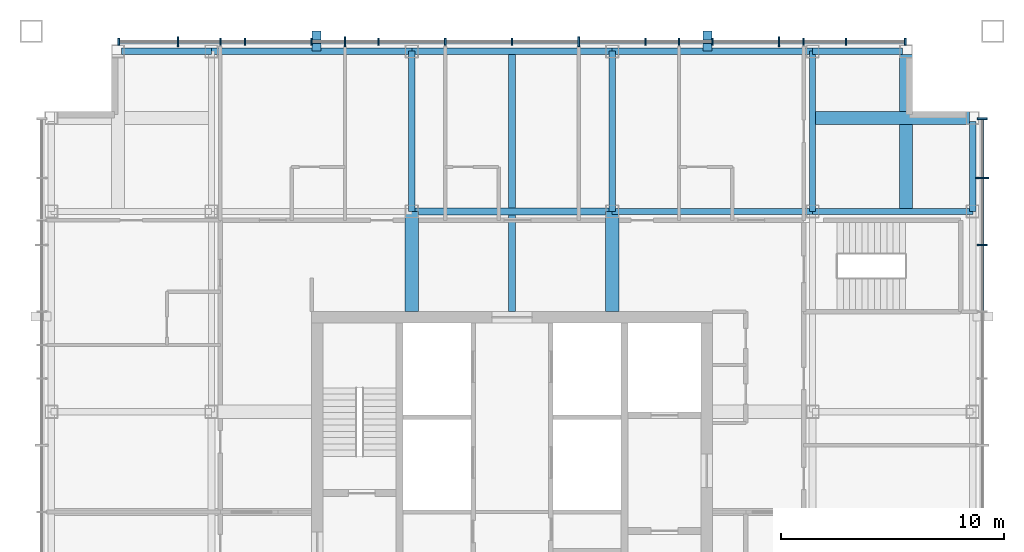
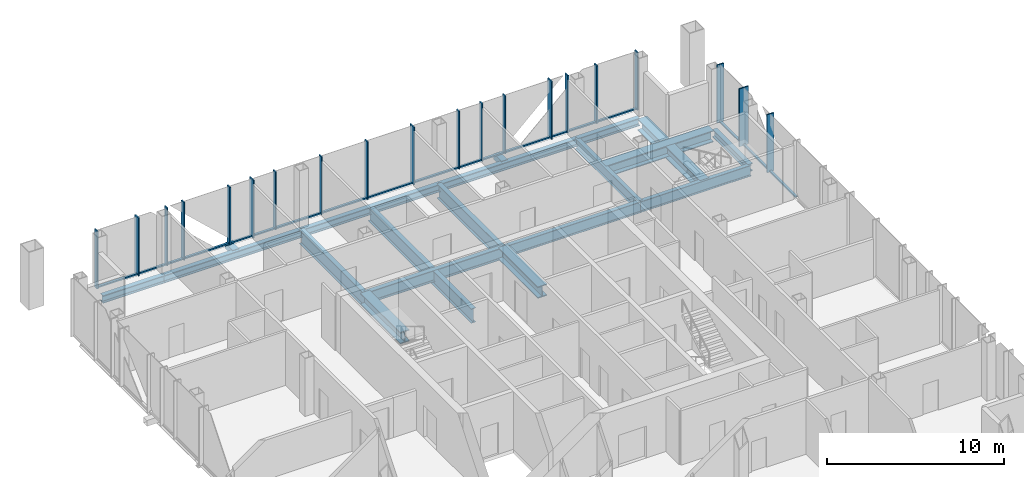
# One storey, part 5 of 11: 41 members, 17 beams, 2 elements without a shape of their own.
"""IFC4 building model written with IfcOpenShell, lengths in metres."""

from ifc_helpers import new_model, si_unit, direction, frame, origin, origin_2d, place, context, subcontext, project, spatial, rectangle, hollow_rectangle, i_section, extrude, material, layer, layer_set, material_profile, profile_set, type_object, element, aggregate, save


model = new_model("IFC4")

# Units and contexts
model_context = context("Model", 3, precision=1e-05, world=origin(), true_north=direction((0.0, 1.0)))
body_context = subcontext(model_context, "Body", "Model", "MODEL_VIEW")
ifc_project = project(units=[si_unit("LENGTHUNIT", "METRE"), si_unit("AREAUNIT", "SQUARE_METRE"), si_unit("VOLUMEUNIT", "CUBIC_METRE"), si_unit("PLANEANGLEUNIT", "RADIAN"), si_unit("MASSUNIT", "GRAM", prefix="KILO")], contexts=[model_context])

# Site, building, storey
site_placement = place(None, origin())
site = spatial("IfcSite", under=ifc_project, at=site_placement, CompositionType="ELEMENT")
building_placement = place(site_placement, origin())
building = spatial("IfcBuilding", under=site, at=building_placement, Name="Malebo Sky Hospital", CompositionType="ELEMENT")
storey_placement = place(building_placement, frame((0.0, 0.0, 278.0)))
storey = spatial("IfcBuildingStorey", under=building, at=storey_placement, Name="L67", CompositionType="ELEMENT", Elevation=278.0)

# Curtain wall, members
ifc_material_1 = material(Name="Anodised aluminium, natural silver", Category="aluminium")
ifc_layer_1 = layer(ifc_material_1, 0.25)
ifc_layer_set_1 = layer_set([ifc_layer_1], Name="WARD CURTAIN WALL NORTH AND SOUTH")
curtain_wall_type_1 = type_object("IfcCurtainWallType", Name="WARD CURTAIN WALL NORTH AND SOUTH", PredefinedType="NOTDEFINED", material=ifc_layer_set_1)
curtain_wall_1_placement = place(storey_placement, origin())
curtain_wall_1 = element("IfcCurtainWall", 1, at=curtain_wall_1_placement, inside=storey, type_object=curtain_wall_type_1, Name="NS curtain wall N", PredefinedType="NOTDEFINED")
ifc_material_profile_1 = material_profile(ifc_material_1, rectangle(XDim=0.14990234375, YDim=0.10009765625, at=origin_2d()), Name="ALUMINIUM TRANSOM 150x100")
ifc_profile_set_1 = profile_set([ifc_material_profile_1], Name="Anodised aluminium, natural silver")
member_type_1 = type_object("IfcMemberType", Name="ALUMINIUM TRANSOM 150x100", PredefinedType="USERDEFINED", material=ifc_profile_set_1)
member_1_placement = place(storey_placement, frame((42.375, 83.125, 0.050048828125), z_axis=(1.0, 0.0, 0.0), x_axis=(0.0, 1.0, 0.0)))
member_1 = element("IfcMember", 2, at=member_1_placement, type_object=member_type_1, Name="Transom 1", ObjectType="TRANSOM", PredefinedType="USERDEFINED", context=body_context, shape_type="SweptSolid", body=[
    extrude(rectangle(XDim=0.14990234375, YDim=0.10009765625, at=origin_2d()), origin(), (0.0, 0.0, 1.0), 2.58740234375),
])
member_2_placement = place(storey_placement, frame((45.03759765625, 83.125, 0.050048828125), z_axis=(1.0, 0.0, 0.0), x_axis=(0.0, 1.0, 0.0)))
member_2 = element("IfcMember", 3, at=member_2_placement, type_object=member_type_1, Name="Transom 2", ObjectType="TRANSOM", PredefinedType="USERDEFINED", context=body_context, shape_type="SweptSolid", body=[
    extrude(rectangle(XDim=0.14990234375, YDim=0.10009765625, at=origin_2d()), origin(), (0.0, 0.0, 1.0), 1.824951171875),
])
member_3_placement = place(storey_placement, frame((46.9375, 83.125, 0.050048828125), z_axis=(1.0, 0.0, 0.0), x_axis=(0.0, 1.0, 0.0)))
member_3 = element("IfcMember", 4, at=member_3_placement, type_object=member_type_1, Name="Transom 3", ObjectType="TRANSOM", PredefinedType="USERDEFINED", context=body_context, shape_type="SweptSolid", body=[
    extrude(rectangle(XDim=0.14990234375, YDim=0.10009765625, at=origin_2d()), origin(), (0.0, 0.0, 1.0), 1.02490234375),
])
member_4_placement = place(storey_placement, frame((48.03759765625, 83.125, 0.050048828125), z_axis=(1.0, 0.0, 0.0), x_axis=(0.0, 1.0, 0.0)))
member_4 = element("IfcMember", 5, at=member_4_placement, type_object=member_type_1, Name="Transom 4", ObjectType="TRANSOM", PredefinedType="USERDEFINED", context=body_context, shape_type="SweptSolid", body=[
    extrude(rectangle(XDim=0.14990234375, YDim=0.10009765625, at=origin_2d()), origin(), (0.0, 0.0, 1.0), 2.9248046875),
])
member_5_placement = place(storey_placement, frame((51.03759765625, 83.125, 0.050048828125), z_axis=(1.0, 0.0, 0.0), x_axis=(0.0, 1.0, 0.0)))
member_5 = element("IfcMember", 6, at=member_5_placement, type_object=member_type_1, Name="Transom 5", ObjectType="TRANSOM", PredefinedType="USERDEFINED", context=body_context, shape_type="SweptSolid", body=[
    extrude(rectangle(XDim=0.14990234375, YDim=0.10009765625, at=origin_2d()), origin(), (0.0, 0.0, 1.0), 1.4248046875),
])
member_6_placement = place(storey_placement, frame((52.53759765625, 83.125, 0.050048828125), z_axis=(1.0, 0.0, 0.0), x_axis=(0.0, 1.0, 0.0)))
member_6 = element("IfcMember", 7, at=member_6_placement, type_object=member_type_1, Name="Transom 6", ObjectType="TRANSOM", PredefinedType="USERDEFINED", context=body_context, shape_type="SweptSolid", body=[
    extrude(rectangle(XDim=0.14990234375, YDim=0.10009765625, at=origin_2d()), origin(), (0.0, 0.0, 1.0), 1.4248046875),
])
member_7_placement = place(storey_placement, frame((54.03759765625, 83.125, 0.050048828125), z_axis=(1.0, 0.0, 0.0), x_axis=(0.0, 1.0, 0.0)))
member_7 = element("IfcMember", 8, at=member_7_placement, type_object=member_type_1, Name="Transom 7", ObjectType="TRANSOM", PredefinedType="USERDEFINED", context=body_context, shape_type="SweptSolid", body=[
    extrude(rectangle(XDim=0.14990234375, YDim=0.10009765625, at=origin_2d()), origin(), (0.0, 0.0, 1.0), 2.9248046875),
])
member_8_placement = place(storey_placement, frame((57.03759765625, 83.125, 0.050048828125), z_axis=(1.0, 0.0, 0.0), x_axis=(0.0, 1.0, 0.0)))
member_8 = element("IfcMember", 9, at=member_8_placement, type_object=member_type_1, Name="Transom 8", ObjectType="TRANSOM", PredefinedType="USERDEFINED", context=body_context, shape_type="SweptSolid", body=[
    extrude(rectangle(XDim=0.14990234375, YDim=0.10009765625, at=origin_2d()), origin(), (0.0, 0.0, 1.0), 2.9248046875),
])
member_9_placement = place(storey_placement, frame((60.03759765625, 83.125, 0.050048828125), z_axis=(1.0, 0.0, 0.0), x_axis=(0.0, 1.0, 0.0)))
member_9 = element("IfcMember", 10, at=member_9_placement, type_object=member_type_1, Name="Transom 9", ObjectType="TRANSOM", PredefinedType="USERDEFINED", context=body_context, shape_type="SweptSolid", body=[
    extrude(rectangle(XDim=0.14990234375, YDim=0.10009765625, at=origin_2d()), origin(), (0.0, 0.0, 1.0), 2.9248046875),
])
member_10_placement = place(storey_placement, frame((63.03759765625, 83.125, 0.050048828125), z_axis=(1.0, 0.0, 0.0), x_axis=(0.0, 1.0, 0.0)))
member_10 = element("IfcMember", 11, at=member_10_placement, type_object=member_type_1, Name="Transom 10", ObjectType="TRANSOM", PredefinedType="USERDEFINED", context=body_context, shape_type="SweptSolid", body=[
    extrude(rectangle(XDim=0.14990234375, YDim=0.10009765625, at=origin_2d()), origin(), (0.0, 0.0, 1.0), 2.9248046875),
])
member_11_placement = place(storey_placement, frame((66.03759765625, 83.125, 0.050048828125), z_axis=(1.0, 0.0, 0.0), x_axis=(0.0, 1.0, 0.0)))
member_11 = element("IfcMember", 12, at=member_11_placement, type_object=member_type_1, Name="Transom 11", ObjectType="TRANSOM", PredefinedType="USERDEFINED", context=body_context, shape_type="SweptSolid", body=[
    extrude(rectangle(XDim=0.14990234375, YDim=0.10009765625, at=origin_2d()), origin(), (0.0, 0.0, 1.0), 1.4248046875),
])
member_12_placement = place(storey_placement, frame((67.53759765625, 83.125, 0.050048828125), z_axis=(1.0, 0.0, 0.0), x_axis=(0.0, 1.0, 0.0)))
member_12 = element("IfcMember", 13, at=member_12_placement, type_object=member_type_1, Name="Transom 12", ObjectType="TRANSOM", PredefinedType="USERDEFINED", context=body_context, shape_type="SweptSolid", body=[
    extrude(rectangle(XDim=0.14990234375, YDim=0.10009765625, at=origin_2d()), origin(), (0.0, 0.0, 1.0), 1.4248046875),
])
member_13_placement = place(storey_placement, frame((69.03759765625, 83.125, 0.050048828125), z_axis=(1.0, 0.0, 0.0), x_axis=(0.0, 1.0, 0.0)))
member_13 = element("IfcMember", 14, at=member_13_placement, type_object=member_type_1, Name="Transom 13", ObjectType="TRANSOM", PredefinedType="USERDEFINED", context=body_context, shape_type="SweptSolid", body=[
    extrude(rectangle(XDim=0.14990234375, YDim=0.10009765625, at=origin_2d()), origin(), (0.0, 0.0, 1.0), 2.9248046875),
])
member_14_placement = place(storey_placement, frame((72.03759765625, 83.125, 0.050048828125), z_axis=(1.0, 0.0, 0.0), x_axis=(0.0, 1.0, 0.0)))
member_14 = element("IfcMember", 15, at=member_14_placement, type_object=member_type_1, Name="Transom 14", ObjectType="TRANSOM", PredefinedType="USERDEFINED", context=body_context, shape_type="SweptSolid", body=[
    extrude(rectangle(XDim=0.14990234375, YDim=0.10009765625, at=origin_2d()), origin(), (0.0, 0.0, 1.0), 1.02490234375),
])
member_15_placement = place(storey_placement, frame((73.137451171875, 83.125, 0.050048828125), z_axis=(1.0, 0.0, 0.0), x_axis=(0.0, 1.0, 0.0)))
member_15 = element("IfcMember", 16, at=member_15_placement, type_object=member_type_1, Name="Transom 15", ObjectType="TRANSOM", PredefinedType="USERDEFINED", context=body_context, shape_type="SweptSolid", body=[
    extrude(rectangle(XDim=0.14990234375, YDim=0.10009765625, at=origin_2d()), origin(), (0.0, 0.0, 1.0), 1.824951171875),
])
member_16_placement = place(storey_placement, frame((75.03759765625, 83.125, 0.050048828125), z_axis=(1.0, 0.0, 0.0), x_axis=(0.0, 1.0, 0.0)))
member_16 = element("IfcMember", 17, at=member_16_placement, type_object=member_type_1, Name="Transom 16", ObjectType="TRANSOM", PredefinedType="USERDEFINED", context=body_context, shape_type="SweptSolid", body=[
    extrude(rectangle(XDim=0.14990234375, YDim=0.10009765625, at=origin_2d()), origin(), (0.0, 0.0, 1.0), 2.58740234375),
])

ifc_layer_2 = layer(ifc_material_1, 0.25)
ifc_layer_set_2 = layer_set([ifc_layer_2], Name="WARD CURTAIN WALL EAST AND WEST")
curtain_wall_type_2 = type_object("IfcCurtainWallType", Name="WARD CURTAIN WALL EAST AND WEST", PredefinedType="NOTDEFINED", material=ifc_layer_set_2)
curtain_wall_2_placement = place(storey_placement, origin())
curtain_wall_2 = element("IfcCurtainWall", 18, at=curtain_wall_2_placement, inside=storey, type_object=curtain_wall_type_2, Name="EW curtain wall E", PredefinedType="NOTDEFINED")
member_17_placement = place(storey_placement, frame((81.125, 79.625, 0.050048828125), z_axis=(0.0, -1.0, 0.0), x_axis=(1.0, 0.0, 0.0)))
member_17 = element("IfcMember", 19, at=member_17_placement, type_object=member_type_1, Name="Transom 1", ObjectType="TRANSOM", PredefinedType="USERDEFINED", context=body_context, shape_type="SweptSolid", body=[
    extrude(rectangle(XDim=0.14990234375, YDim=0.10009765625, at=origin_2d()), origin(), (0.0, 0.0, 1.0), 2.58740234375),
])
member_18_placement = place(storey_placement, frame((81.125, 76.96240234375, 0.050048828125), z_axis=(0.0, -1.0, 0.0), x_axis=(1.0, 0.0, 0.0)))
member_18 = element("IfcMember", 20, at=member_18_placement, type_object=member_type_1, Name="Transom 2", ObjectType="TRANSOM", PredefinedType="USERDEFINED", context=body_context, shape_type="SweptSolid", body=[
    extrude(rectangle(XDim=0.14990234375, YDim=0.10009765625, at=origin_2d()), origin(), (0.0, 0.0, 1.0), 2.9248046875),
])
member_19_placement = place(storey_placement, frame((81.125, 73.96240234375, 0.050048828125), z_axis=(0.0, -1.0, 0.0), x_axis=(1.0, 0.0, 0.0)))
member_19 = element("IfcMember", 21, at=member_19_placement, type_object=member_type_1, Name="Transom 3", ObjectType="TRANSOM", PredefinedType="USERDEFINED", context=body_context, shape_type="SweptSolid", body=[
    extrude(rectangle(XDim=0.14990234375, YDim=0.10009765625, at=origin_2d()), origin(), (0.0, 0.0, 1.0), 2.9248046875),
])

# Members
ifc_material_2 = material(Name="Steel S355", Category="steel")
ifc_material_profile_2 = material_profile(ifc_material_2, hollow_rectangle(XDim=0.39990234375, YDim=0.39990234375, WallThickness=0.02001953125, at=origin_2d()), Name="SHS 400x20")
ifc_profile_set_2 = profile_set([ifc_material_profile_2], Name="Steel S355")
member_type_2 = type_object("IfcMemberType", Name="BRACE STRUT SHS 400x20", PredefinedType="STRUT", material=ifc_profile_set_2)
for number, where, z_axis, x_axis, name in (
    (22, (51.2158203125, 83.60009765625, -0.39990234375), (0.0, -1.0, 0.0), (1.0, 0.0, 0.0), "Brace strut DN1 L67"),
    (23, (68.7841796875, 83.60009765625, -0.39990234375), (0.0, -1.0, 0.0), (1.0, 0.0, 0.0), "Brace strut DN2 L67"),
):
    element("IfcMember", number, at=place(storey_placement, frame(where, z_axis=z_axis, x_axis=x_axis)), inside=storey, type_object=member_type_2, Name=name, PredefinedType="STRUT", context=body_context, shape_type="SweptSolid", body=[
        extrude(hollow_rectangle(XDim=0.39990234375, YDim=0.39990234375, WallThickness=0.02001953125, at=origin_2d()), origin(), (0.0, 0.0, 1.0), 0.900146484375),
    ])

# Member
ifc_material_profile_3 = material_profile(ifc_material_1, rectangle(XDim=0.074951171875, YDim=0.300048828125, at=origin_2d()), Name="CW1 ALUMINIUM FIN MULLION 75x300")
ifc_profile_set_3 = profile_set([ifc_material_profile_3], Name="Anodised aluminium, natural silver")
member_type_3 = type_object("IfcMemberType", Name="CW1 ALUMINIUM FIN MULLION 75x300", PredefinedType="MULLION", material=ifc_profile_set_3)
member_20_placement = place(storey_placement, frame((42.33740234375, 83.125, 0.0), z_axis=(0.0, 0.0, 1.0), x_axis=(1.0, 0.0, 0.0)))
member_20 = element("IfcMember", 24, at=member_20_placement, type_object=member_type_3, Name="Fin mullion 1", PredefinedType="MULLION", context=body_context, shape_type="SweptSolid", body=[
    extrude(rectangle(XDim=0.074951171875, YDim=0.300048828125, at=origin_2d()), origin(), (0.0, 0.0, 1.0), 4.0),
])

member_21_placement = place(storey_placement, frame((46.89990234375, 83.125, 0.0), z_axis=(0.0, 0.0, 1.0), x_axis=(1.0, 0.0, 0.0)))
member_21 = element("IfcMember", 25, at=member_21_placement, type_object=member_type_3, Name="Fin mullion 3", PredefinedType="MULLION", context=body_context, shape_type="SweptSolid", body=[
    extrude(rectangle(XDim=0.074951171875, YDim=0.300048828125, at=origin_2d()), origin(), (0.0, 0.0, 1.0), 4.0),
])

member_22_placement = place(storey_placement, frame((48.0, 83.125, 0.0), z_axis=(0.0, 0.0, 1.0), x_axis=(1.0, 0.0, 0.0)))
member_22 = element("IfcMember", 26, at=member_22_placement, type_object=member_type_3, Name="Fin mullion 4", PredefinedType="MULLION", context=body_context, shape_type="SweptSolid", body=[
    extrude(rectangle(XDim=0.074951171875, YDim=0.300048828125, at=origin_2d()), origin(), (0.0, 0.0, 1.0), 4.0),
])

member_23_placement = place(storey_placement, frame((51.0, 83.125, 0.0), z_axis=(0.0, 0.0, 1.0), x_axis=(1.0, 0.0, 0.0)))
member_23 = element("IfcMember", 27, at=member_23_placement, type_object=member_type_3, Name="Fin mullion 5", PredefinedType="MULLION", context=body_context, shape_type="SweptSolid", body=[
    extrude(rectangle(XDim=0.074951171875, YDim=0.300048828125, at=origin_2d()), origin(), (0.0, 0.0, 1.0), 4.0),
])

member_24_placement = place(storey_placement, frame((54.0, 83.125, 0.0), z_axis=(0.0, 0.0, 1.0), x_axis=(1.0, 0.0, 0.0)))
member_24 = element("IfcMember", 28, at=member_24_placement, type_object=member_type_3, Name="Fin mullion 7", PredefinedType="MULLION", context=body_context, shape_type="SweptSolid", body=[
    extrude(rectangle(XDim=0.074951171875, YDim=0.300048828125, at=origin_2d()), origin(), (0.0, 0.0, 1.0), 4.0),
])

member_25_placement = place(storey_placement, frame((57.0, 83.125, 0.0), z_axis=(0.0, 0.0, 1.0), x_axis=(1.0, 0.0, 0.0)))
member_25 = element("IfcMember", 29, at=member_25_placement, type_object=member_type_3, Name="Fin mullion 8", PredefinedType="MULLION", context=body_context, shape_type="SweptSolid", body=[
    extrude(rectangle(XDim=0.074951171875, YDim=0.300048828125, at=origin_2d()), origin(), (0.0, 0.0, 1.0), 4.0),
])

member_26_placement = place(storey_placement, frame((60.0, 83.125, 0.0), z_axis=(0.0, 0.0, 1.0), x_axis=(1.0, 0.0, 0.0)))
member_26 = element("IfcMember", 30, at=member_26_placement, type_object=member_type_3, Name="Fin mullion 9", PredefinedType="MULLION", context=body_context, shape_type="SweptSolid", body=[
    extrude(rectangle(XDim=0.074951171875, YDim=0.300048828125, at=origin_2d()), origin(), (0.0, 0.0, 1.0), 4.0),
])

member_27_placement = place(storey_placement, frame((66.0, 83.125, 0.0), z_axis=(0.0, 0.0, 1.0), x_axis=(1.0, 0.0, 0.0)))
member_27 = element("IfcMember", 31, at=member_27_placement, type_object=member_type_3, Name="Fin mullion 11", PredefinedType="MULLION", context=body_context, shape_type="SweptSolid", body=[
    extrude(rectangle(XDim=0.074951171875, YDim=0.300048828125, at=origin_2d()), origin(), (0.0, 0.0, 1.0), 4.0),
])

member_28_placement = place(storey_placement, frame((67.5, 83.125, 0.0), z_axis=(0.0, 0.0, 1.0), x_axis=(1.0, 0.0, 0.0)))
member_28 = element("IfcMember", 32, at=member_28_placement, type_object=member_type_3, Name="Fin mullion 12", PredefinedType="MULLION", context=body_context, shape_type="SweptSolid", body=[
    extrude(rectangle(XDim=0.074951171875, YDim=0.300048828125, at=origin_2d()), origin(), (0.0, 0.0, 1.0), 4.0),
])

member_29_placement = place(storey_placement, frame((69.0, 83.125, 0.0), z_axis=(0.0, 0.0, 1.0), x_axis=(1.0, 0.0, 0.0)))
member_29 = element("IfcMember", 33, at=member_29_placement, type_object=member_type_3, Name="Fin mullion 13", PredefinedType="MULLION", context=body_context, shape_type="SweptSolid", body=[
    extrude(rectangle(XDim=0.074951171875, YDim=0.300048828125, at=origin_2d()), origin(), (0.0, 0.0, 1.0), 4.0),
])

member_30_placement = place(storey_placement, frame((73.10009765625, 83.125, 0.0), z_axis=(0.0, 0.0, 1.0), x_axis=(1.0, 0.0, 0.0)))
member_30 = element("IfcMember", 34, at=member_30_placement, type_object=member_type_3, Name="Fin mullion 15", PredefinedType="MULLION", context=body_context, shape_type="SweptSolid", body=[
    extrude(rectangle(XDim=0.074951171875, YDim=0.300048828125, at=origin_2d()), origin(), (0.0, 0.0, 1.0), 4.0),
])

member_31_placement = place(storey_placement, frame((75.0, 83.125, 0.0), z_axis=(0.0, 0.0, 1.0), x_axis=(1.0, 0.0, 0.0)))
member_31 = element("IfcMember", 35, at=member_31_placement, type_object=member_type_3, Name="Fin mullion 16", PredefinedType="MULLION", context=body_context, shape_type="SweptSolid", body=[
    extrude(rectangle(XDim=0.074951171875, YDim=0.300048828125, at=origin_2d()), origin(), (0.0, 0.0, 1.0), 4.0),
])

member_32_placement = place(storey_placement, frame((77.66259765625, 83.125, 0.0), z_axis=(0.0, 0.0, 1.0), x_axis=(1.0, 0.0, 0.0)))
member_32 = element("IfcMember", 36, at=member_32_placement, type_object=member_type_3, Name="Fin mullion 17", PredefinedType="MULLION", context=body_context, shape_type="SweptSolid", body=[
    extrude(rectangle(XDim=0.074951171875, YDim=0.300048828125, at=origin_2d()), origin(), (0.0, 0.0, 1.0), 4.0),
])

ifc_material_profile_4 = material_profile(ifc_material_1, rectangle(XDim=0.074951171875, YDim=0.449951171875, at=origin_2d()), Name="CW1 ALUMINIUM FIN MULLION 75x450")
ifc_profile_set_4 = profile_set([ifc_material_profile_4], Name="Anodised aluminium, natural silver")
member_type_4 = type_object("IfcMemberType", Name="CW1 ALUMINIUM FIN MULLION 75x450", PredefinedType="MULLION", material=ifc_profile_set_4)
member_33_placement = place(storey_placement, frame((45.0, 83.125, 0.0), z_axis=(0.0, 0.0, 1.0), x_axis=(1.0, 0.0, 0.0)))
member_33 = element("IfcMember", 37, at=member_33_placement, type_object=member_type_4, Name="Fin mullion 2", PredefinedType="MULLION", context=body_context, shape_type="SweptSolid", body=[
    extrude(rectangle(XDim=0.074951171875, YDim=0.449951171875, at=origin_2d()), origin(), (0.0, 0.0, 1.0), 4.0),
])

member_34_placement = place(storey_placement, frame((52.5, 83.125, 0.0), z_axis=(0.0, 0.0, 1.0), x_axis=(1.0, 0.0, 0.0)))
member_34 = element("IfcMember", 38, at=member_34_placement, type_object=member_type_4, Name="Fin mullion 6", PredefinedType="MULLION", context=body_context, shape_type="SweptSolid", body=[
    extrude(rectangle(XDim=0.074951171875, YDim=0.449951171875, at=origin_2d()), origin(), (0.0, 0.0, 1.0), 4.0),
])

member_35_placement = place(storey_placement, frame((63.0, 83.125, 0.0), z_axis=(0.0, 0.0, 1.0), x_axis=(1.0, 0.0, 0.0)))
member_35 = element("IfcMember", 39, at=member_35_placement, type_object=member_type_4, Name="Fin mullion 10", PredefinedType="MULLION", context=body_context, shape_type="SweptSolid", body=[
    extrude(rectangle(XDim=0.074951171875, YDim=0.449951171875, at=origin_2d()), origin(), (0.0, 0.0, 1.0), 4.0),
])

member_36_placement = place(storey_placement, frame((72.0, 83.125, 0.0), z_axis=(0.0, 0.0, 1.0), x_axis=(1.0, 0.0, 0.0)))
member_36 = element("IfcMember", 40, at=member_36_placement, type_object=member_type_4, Name="Fin mullion 14", PredefinedType="MULLION", context=body_context, shape_type="SweptSolid", body=[
    extrude(rectangle(XDim=0.074951171875, YDim=0.449951171875, at=origin_2d()), origin(), (0.0, 0.0, 1.0), 4.0),
])

aggregate(curtain_wall_1, [member_20, member_33, member_21, member_22, member_23, member_34, member_24, member_25, member_26, member_35, member_27, member_28, member_29, member_36, member_30, member_31, member_32, member_1, member_2, member_3, member_4, member_5, member_6, member_7, member_8, member_9, member_10, member_11, member_12, member_13, member_14, member_15, member_16])

ifc_material_profile_5 = material_profile(ifc_material_1, rectangle(XDim=0.074951171875, YDim=0.449951171875, at=origin_2d()), Name="CW2 ALUMINIUM FIN MULLION 75x450")
ifc_profile_set_5 = profile_set([ifc_material_profile_5], Name="Anodised aluminium, natural silver")
member_type_5 = type_object("IfcMemberType", Name="CW2 ALUMINIUM FIN MULLION 75x450", PredefinedType="MULLION", material=ifc_profile_set_5)
member_37_placement = place(storey_placement, frame((81.125, 79.66259765625, 0.0), z_axis=(0.0, 0.0, 1.0), x_axis=(0.0, -1.0, 0.0)))
member_37 = element("IfcMember", 41, at=member_37_placement, type_object=member_type_5, Name="Fin mullion 1", PredefinedType="MULLION", context=body_context, shape_type="SweptSolid", body=[
    extrude(rectangle(XDim=0.074951171875, YDim=0.449951171875, at=origin_2d()), origin(), (0.0, 0.0, 1.0), 4.0),
])

member_38_placement = place(storey_placement, frame((81.125, 74.0, 0.0), z_axis=(0.0, 0.0, 1.0), x_axis=(0.0, -1.0, 0.0)))
member_38 = element("IfcMember", 42, at=member_38_placement, type_object=member_type_5, Name="Fin mullion 3", PredefinedType="MULLION", context=body_context, shape_type="SweptSolid", body=[
    extrude(rectangle(XDim=0.074951171875, YDim=0.449951171875, at=origin_2d()), origin(), (0.0, 0.0, 1.0), 4.0),
])

ifc_material_profile_6 = material_profile(ifc_material_1, rectangle(XDim=0.074951171875, YDim=0.60009765625, at=origin_2d()), Name="CW2 ALUMINIUM FIN MULLION 75x600")
ifc_profile_set_6 = profile_set([ifc_material_profile_6], Name="Anodised aluminium, natural silver")
member_type_6 = type_object("IfcMemberType", Name="CW2 ALUMINIUM FIN MULLION 75x600", PredefinedType="MULLION", material=ifc_profile_set_6)
member_39_placement = place(storey_placement, frame((81.125, 77.0, 0.0), z_axis=(0.0, 0.0, 1.0), x_axis=(0.0, -1.0, 0.0)))
member_39 = element("IfcMember", 43, at=member_39_placement, type_object=member_type_6, Name="Fin mullion 2", PredefinedType="MULLION", context=body_context, shape_type="SweptSolid", body=[
    extrude(rectangle(XDim=0.074951171875, YDim=0.60009765625, at=origin_2d()), origin(), (0.0, 0.0, 1.0), 4.0),
])

aggregate(curtain_wall_2, [member_37, member_39, member_38, member_17, member_18, member_19])

# Beams
ifc_material_profile_7 = material_profile(ifc_material_2, i_section(OverallWidth=0.305908203125, OverallDepth=0.52392578125, WebThickness=0.02099609375, FlangeThickness=0.0400390625, FilletRadius=0.027099609375, at=origin_2d()), Name="HEM 500")
ifc_profile_set_7 = profile_set([ifc_material_profile_7], Name="Steel S355")
beam_type_1 = type_object("IfcBeamType", Name="EDGE BEAM HEM 500", PredefinedType="BEAM", material=ifc_profile_set_7)
for number, where, z_axis, x_axis, name in (
    (44, (80.699951171875, 75.5, -0.511962890625), (0.0, 1.0, 0.0), (-1.0, 0.0, 0.0), "Beam 033 L67"),
    (45, (42.449951171875, 82.699951171875, -0.511962890625), (1.0, 0.0, 0.0), (0.0, 1.0, 0.0), "Beam 063 L67"),
):
    element("IfcBeam", number, at=place(storey_placement, frame(where, z_axis=z_axis, x_axis=x_axis)), inside=storey, type_object=beam_type_1, Name=name, PredefinedType="BEAM", context=body_context, shape_type="SweptSolid", body=[
        extrude(i_section(OverallWidth=0.305908203125, OverallDepth=0.52392578125, WebThickness=0.02099609375, FlangeThickness=0.0400390625, FilletRadius=0.027099609375, at=origin_2d()), origin(), (0.0, 0.0, 1.0), 4.050048828125),
    ])
for number, where, z_axis, x_axis, name in (
    (46, (46.5, 82.699951171875, -0.511962890625), (1.0, 0.0, 0.0), (0.0, 1.0, 0.0), "Beam 064 L67"),
    (47, (55.5, 82.699951171875, -0.511962890625), (1.0, 0.0, 0.0), (0.0, 1.0, 0.0), "Beam 065 L67"),
    (48, (64.5, 82.699951171875, -0.511962890625), (1.0, 0.0, 0.0), (0.0, 1.0, 0.0), "Beam 066 L67"),
):
    element("IfcBeam", number, at=place(storey_placement, frame(where, z_axis=z_axis, x_axis=x_axis)), inside=storey, type_object=beam_type_1, Name=name, PredefinedType="BEAM", context=body_context, shape_type="SweptSolid", body=[
        extrude(i_section(OverallWidth=0.305908203125, OverallDepth=0.52392578125, WebThickness=0.02099609375, FlangeThickness=0.0400390625, FilletRadius=0.027099609375, at=origin_2d()), origin(), (0.0, 0.0, 1.0), 9.0),
    ])
beam_1_placement = place(storey_placement, frame((73.5, 82.699951171875, -0.511962890625), z_axis=(1.0, 0.0, 0.0), x_axis=(0.0, 1.0, 0.0)))
element("IfcBeam", 49, at=beam_1_placement, inside=storey, type_object=beam_type_1, Name="Beam 067 L67", PredefinedType="BEAM", context=body_context, shape_type="SweptSolid", body=[
    extrude(i_section(OverallWidth=0.305908203125, OverallDepth=0.52392578125, WebThickness=0.02099609375, FlangeThickness=0.0400390625, FilletRadius=0.027099609375, at=origin_2d()), origin(), (0.0, 0.0, 1.0), 4.050048828125),
])
ifc_material_profile_8 = material_profile(ifc_material_2, i_section(OverallWidth=0.300048828125, OverallDepth=1.0, WebThickness=0.01904296875, FlangeThickness=0.035888671875, FilletRadius=0.030029296875, at=origin_2d()), Name="HEB 1000")
ifc_profile_set_8 = profile_set([ifc_material_profile_8], Name="Steel S355")
beam_type_2 = type_object("IfcBeamType", Name="FLOOR BEAM HEB 1000", PredefinedType="BEAM", material=ifc_profile_set_8)
beam_2_placement = place(storey_placement, frame((55.5, 75.5, -0.75), z_axis=(0.0, 1.0, 0.0), x_axis=(-1.0, 0.0, 0.0)))
element("IfcBeam", 50, at=beam_2_placement, inside=storey, type_object=beam_type_2, Name="Beam 015 L67", PredefinedType="BEAM", context=body_context, shape_type="SweptSolid", body=[
    extrude(i_section(OverallWidth=0.300048828125, OverallDepth=1.0, WebThickness=0.01904296875, FlangeThickness=0.035888671875, FilletRadius=0.030029296875, at=origin_2d()), origin(), (0.0, 0.0, 1.0), 7.199951171875),
])
beam_3_placement = place(storey_placement, frame((60.0, 71.0, -0.75), z_axis=(0.0, 1.0, 0.0), x_axis=(-1.0, 0.0, 0.0)))
element("IfcBeam", 51, at=beam_3_placement, inside=storey, type_object=beam_type_2, Name="Beam 017 L67", PredefinedType="BEAM", context=body_context, shape_type="SweptSolid", body=[
    extrude(i_section(OverallWidth=0.300048828125, OverallDepth=1.0, WebThickness=0.01904296875, FlangeThickness=0.035888671875, FilletRadius=0.030029296875, at=origin_2d()), origin(), (0.0, 0.0, 1.0), 11.699951171875),
])
beam_4_placement = place(storey_placement, frame((64.5, 75.5, -0.75), z_axis=(0.0, 1.0, 0.0), x_axis=(-1.0, 0.0, 0.0)))
element("IfcBeam", 52, at=beam_4_placement, inside=storey, type_object=beam_type_2, Name="Beam 021 L67", PredefinedType="BEAM", context=body_context, shape_type="SweptSolid", body=[
    extrude(i_section(OverallWidth=0.300048828125, OverallDepth=1.0, WebThickness=0.01904296875, FlangeThickness=0.035888671875, FilletRadius=0.030029296875, at=origin_2d()), origin(), (0.0, 0.0, 1.0), 7.199951171875),
])
ifc_material_profile_9 = material_profile(ifc_material_2, i_section(OverallWidth=0.26708984375, OverallDepth=0.761962890625, WebThickness=0.014404296875, FlangeThickness=0.021484375, FilletRadius=0.01708984375, at=origin_2d()), Name="IPE 750x173")
ifc_profile_set_9 = profile_set([ifc_material_profile_9], Name="Steel S355")
beam_type_3 = type_object("IfcBeamType", Name="FLOOR BEAM IPE 750x173", PredefinedType="BEAM", material=ifc_profile_set_9)
beam_5_placement = place(storey_placement, frame((64.5, 75.5, -0.631103515625), z_axis=(1.0, 0.0, 0.0), x_axis=(0.0, 1.0, 0.0)))
element("IfcBeam", 53, at=beam_5_placement, inside=storey, type_object=beam_type_3, Name="Beam 059 L67", PredefinedType="BEAM", context=body_context, shape_type="SweptSolid", body=[
    extrude(i_section(OverallWidth=0.26708984375, OverallDepth=0.761962890625, WebThickness=0.014404296875, FlangeThickness=0.021484375, FilletRadius=0.01708984375, at=origin_2d()), origin(), (0.0, 0.0, 1.0), 9.0),
])
ifc_material_profile_10 = material_profile(ifc_material_2, i_section(OverallWidth=0.60009765625, OverallDepth=0.800048828125, WebThickness=0.0400390625, FlangeThickness=0.06005859375, at=origin_2d()), Name="PG 800x600x40x60")
ifc_profile_set_10 = profile_set([ifc_material_profile_10], Name="Steel S355")
beam_type_4 = type_object("IfcBeamType", Name="FLOOR BEAM PG 800x600x40x60", PredefinedType="BEAM", material=ifc_profile_set_10)
for number, where, z_axis, x_axis, name in (
    (54, (55.5, 71.0, -0.64990234375), (0.0, 1.0, 0.0), (-1.0, 0.0, 0.0), "Beam 014 L67"),
    (55, (64.5, 71.0, -0.64990234375), (0.0, 1.0, 0.0), (-1.0, 0.0, 0.0), "Beam 020 L67"),
):
    element("IfcBeam", number, at=place(storey_placement, frame(where, z_axis=z_axis, x_axis=x_axis)), inside=storey, type_object=beam_type_4, Name=name, PredefinedType="BEAM", context=body_context, shape_type="SweptSolid", body=[
        extrude(i_section(OverallWidth=0.60009765625, OverallDepth=0.800048828125, WebThickness=0.0400390625, FlangeThickness=0.06005859375, at=origin_2d()), origin(), (0.0, 0.0, 1.0), 4.5),
    ])
for number, where, z_axis, x_axis, name in (
    (56, (77.699951171875, 75.5, -0.64990234375), (0.0, 1.0, 0.0), (-1.0, 0.0, 0.0), "Beam 028 L67"),
    (57, (73.5, 79.699951171875, -0.64990234375), (1.0, 0.0, 0.0), (0.0, 1.0, 0.0), "Beam 062 L67"),
):
    element("IfcBeam", number, at=place(storey_placement, frame(where, z_axis=z_axis, x_axis=x_axis)), inside=storey, type_object=beam_type_4, Name=name, PredefinedType="BEAM", context=body_context, shape_type="SweptSolid", body=[
        extrude(i_section(OverallWidth=0.60009765625, OverallDepth=0.800048828125, WebThickness=0.0400390625, FlangeThickness=0.06005859375, at=origin_2d()), origin(), (0.0, 0.0, 1.0), 7.050048828125),
    ])
ifc_material_profile_11 = material_profile(ifc_material_2, i_section(OverallWidth=0.262939453125, OverallDepth=0.7529296875, WebThickness=0.011474609375, FlangeThickness=0.01708984375, FilletRadius=0.01708984375, at=origin_2d()), Name="IPE 750x137")
ifc_profile_set_11 = profile_set([ifc_material_profile_11], Name="Steel S355")
beam_type_5 = type_object("IfcBeamType", Name="FLOOR GIRDER IPE 750x137", PredefinedType="BEAM", material=ifc_profile_set_11)
for number, where, z_axis, x_axis, name in (
    (58, (73.5, 75.5, -0.62646484375), (0.0, 1.0, 0.0), (-1.0, 0.0, 0.0), "Beam 026 L67"),
    (59, (73.5, 75.5, -0.62646484375), (1.0, 0.0, 0.0), (0.0, 1.0, 0.0), "Beam 060 L67"),
):
    element("IfcBeam", number, at=place(storey_placement, frame(where, z_axis=z_axis, x_axis=x_axis)), inside=storey, type_object=beam_type_5, Name=name, PredefinedType="BEAM", context=body_context, shape_type="SweptSolid", body=[
        extrude(i_section(OverallWidth=0.262939453125, OverallDepth=0.7529296875, WebThickness=0.011474609375, FlangeThickness=0.01708984375, FilletRadius=0.01708984375, at=origin_2d()), origin(), (0.0, 0.0, 1.0), 7.199951171875),
    ])
ifc_material_profile_12 = material_profile(ifc_material_2, i_section(OverallWidth=0.300048828125, OverallDepth=0.800048828125, WebThickness=0.017578125, FlangeThickness=0.032958984375, FilletRadius=0.030029296875, at=origin_2d()), Name="HEB 800")
ifc_profile_set_12 = profile_set([ifc_material_profile_12], Name="Steel S355")
beam_type_6 = type_object("IfcBeamType", Name="RING GIRDER HEB 800", PredefinedType="BEAM", material=ifc_profile_set_12)
beam_6_placement = place(storey_placement, frame((55.5, 75.5, -0.64990234375), z_axis=(1.0, 0.0, 0.0), x_axis=(0.0, 1.0, 0.0)))
element("IfcBeam", 60, at=beam_6_placement, inside=storey, type_object=beam_type_6, Name="Beam 058 L67", PredefinedType="BEAM", context=body_context, shape_type="SweptSolid", body=[
    extrude(i_section(OverallWidth=0.300048828125, OverallDepth=0.800048828125, WebThickness=0.017578125, FlangeThickness=0.032958984375, FilletRadius=0.030029296875, at=origin_2d()), origin(), (0.0, 0.0, 1.0), 9.0),
])

save(model, "model.ifc")
